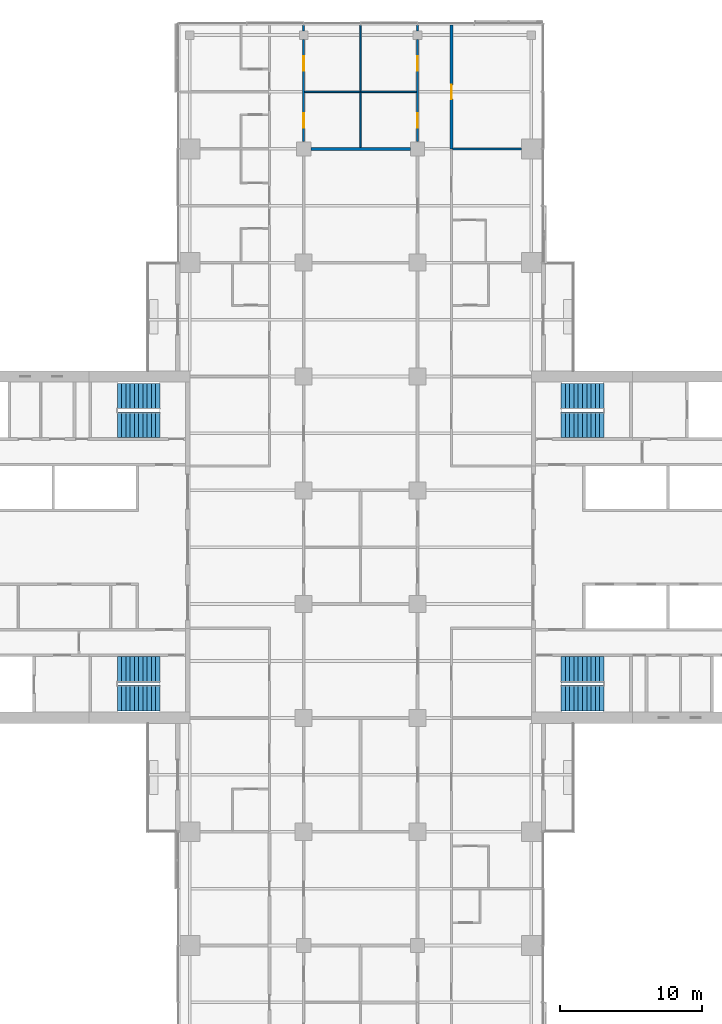
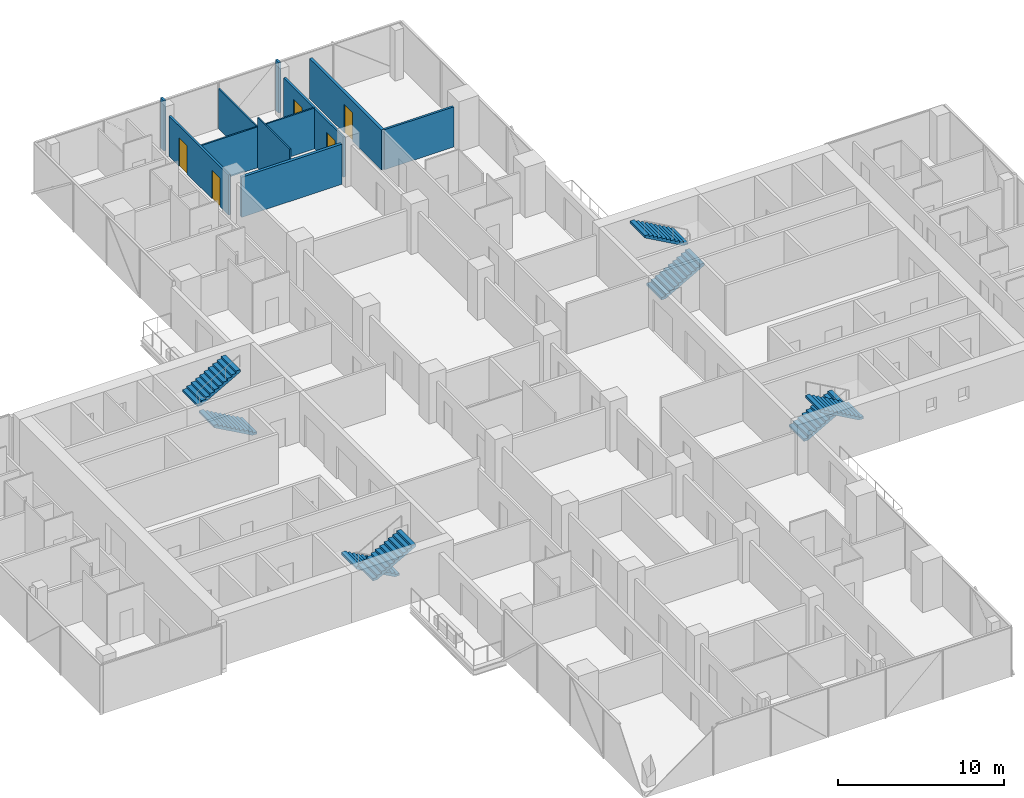
# One storey, part 22 of 27: 10 walls, 8 stair flights, 5 doors, 5 openings, 4 elements without a shape of their own.
"""IFC4 building model written with IfcOpenShell, lengths in metres."""

import ifcopenshell
import ifcopenshell.guid

model = None  # the IFC model being written
_history = None  # IfcOwnerHistory: only IFC2X3 demands one
_inside = {}  # id of a spatial element -> (the spatial element, [elements in it])
_under = {}  # id of a project, library or spatial element -> (it, [spatial elements below it])
_declared = {}  # id of a project -> (the project, [libraries it declares])
_typed = {}  # id of a type object -> (the type object, [elements of that type])
_made_of = {}  # id of a material, layer set ... -> (it, [elements and type objects made of it])


def new_model(schema):
    """Start an empty IFC model of exactly this schema.

    Asked for "IFC4X3", IfcOpenShell would pick the latest addendum, in which some entities
    have other attributes; the version numbers below select the first issue.
    IFC2X3 requires an IfcOwnerHistory on every rooted entity: one is made here for all.
    """
    global model, _history
    if schema == "IFC4X3":
        model = ifcopenshell.file(schema_version=(4, 3, 0, 0))
    else:
        model = ifcopenshell.file(schema=schema)
    _inside.clear()
    _under.clear()
    _declared.clear()
    _typed.clear()
    _made_of.clear()
    _history = None
    if model.schema == "IFC2X3":
        org = make("IfcOrganization", Name="unknown")
        user = make(
            "IfcPersonAndOrganization",
            ThePerson=make("IfcPerson", FamilyName="unknown"),
            TheOrganization=org,
        )
        app = make(
            "IfcApplication",
            ApplicationDeveloper=org,
            Version="unknown",
            ApplicationFullName="unknown",
            ApplicationIdentifier="unknown",
        )
        _history = make(
            "IfcOwnerHistory",
            OwningUser=user,
            OwningApplication=app,
            ChangeAction="ADDED",
            CreationDate=0,
        )
    return model


def make(cls, **values):
    """One entity of the class cls with the attributes given. An attribute that is None is left unset."""
    return model.create_entity(
        cls, **{name: value for name, value in values.items() if value is not None}
    )


def rooted(cls, **values):
    """An entity with a GlobalId (a new one), such as an element, a storey or a relation."""
    return make(cls, GlobalId=ifcopenshell.guid.new(), OwnerHistory=_history, **values)


def si_unit(unit_type, name, prefix=None):
    """IfcSIUnit, for example si_unit("LENGTHUNIT", "METRE", prefix="MILLI")."""
    return make("IfcSIUnit", UnitType=unit_type, Prefix=prefix, Name=name)


def assignment(units):
    """IfcUnitAssignment: the units of a project."""
    return None if units is None else make("IfcUnitAssignment", Units=units)


def point(xyz):
    """IfcCartesianPoint."""
    return None if xyz is None else make("IfcCartesianPoint", Coordinates=xyz)


def direction(xyz):
    """IfcDirection."""
    return None if xyz is None else make("IfcDirection", DirectionRatios=xyz)


def frame(location, z_axis=None, x_axis=None):
    """IfcAxis2Placement3D, a coordinate frame: its origin and axes. An axis left out is left unset."""
    return make(
        "IfcAxis2Placement3D",
        Location=point(location),
        Axis=direction(z_axis),
        RefDirection=direction(x_axis),
    )


def frame_2d(location, x_axis=None):
    """IfcAxis2Placement2D, a coordinate frame in the plane: its origin and x axis."""
    return make(
        "IfcAxis2Placement2D", Location=point(location), RefDirection=direction(x_axis)
    )


def origin():
    """The frame at (0, 0, 0) with its axes left unset."""
    return frame((0.0, 0.0, 0.0))


def place(relative_to, where):
    """IfcLocalPlacement: puts the frame where relative to a parent placement (None: the world)."""
    return make(
        "IfcLocalPlacement", PlacementRelTo=relative_to, RelativePlacement=where
    )


def context(
    kind, dimensions, precision=None, world=None, true_north=None, identifier=None
):
    """IfcGeometricRepresentationContext, for example the 3D "Model" context."""
    return make(
        "IfcGeometricRepresentationContext",
        ContextIdentifier=identifier,
        ContextType=kind,
        CoordinateSpaceDimension=dimensions,
        Precision=precision,
        WorldCoordinateSystem=world,
        TrueNorth=true_north,
    )


def subcontext(parent, identifier, kind, view, scale=None):
    """IfcGeometricRepresentationSubContext, for example "Body" below "Model"."""
    return make(
        "IfcGeometricRepresentationSubContext",
        ContextIdentifier=identifier,
        ContextType=kind,
        ParentContext=parent,
        TargetScale=scale,
        TargetView=view,
    )


def project(units=None, contexts=None):
    """IfcProject with its units and contexts."""
    return rooted(
        "IfcProject",
        Name="project",
        RepresentationContexts=contexts,
        UnitsInContext=assignment(units),
    )


def spatial(cls, under=None, at=None, **own):
    """A site, building, storey or space (cls), placed at a placement, below another one or the project."""
    s = rooted(cls, ObjectPlacement=at, **own)
    if under is not None:
        _under.setdefault(under.id(), (under, []))[1].append(s)
    return s


def polyline(points):
    """IfcPolyline through the points."""
    return make("IfcPolyline", Points=[point(p) for p in points])


def profile(cls, at=None, kind="AREA", **sizes):
    """A parametric profile (cls). Its sizes go by their IFC names, for example OverallWidth=200.0."""
    return make(cls, ProfileType=kind, Position=at, **sizes)


def rectangle(**sizes):
    """IfcRectangleProfileDef."""
    return profile("IfcRectangleProfileDef", **sizes)


def outline(outer, holes=None, kind="AREA"):
    """IfcArbitraryClosedProfileDef: a profile drawn as a closed curve; with holes, ...WithVoids."""
    if holes is None:
        return make("IfcArbitraryClosedProfileDef", ProfileType=kind, OuterCurve=outer)
    return make(
        "IfcArbitraryProfileDefWithVoids",
        ProfileType=kind,
        OuterCurve=outer,
        InnerCurves=holes,
    )


def extrude(swept, where, along, depth):
    """IfcExtrudedAreaSolid: the profile swept, set in the frame where, extruded along a direction by depth."""
    return make(
        "IfcExtrudedAreaSolid",
        SweptArea=swept,
        Position=where,
        ExtrudedDirection=direction(along),
        Depth=depth,
    )


def shape(context_of_items, identifier, shape_type, items):
    """IfcShapeRepresentation: the items that make up one representation, for example the "Body"."""
    return make(
        "IfcShapeRepresentation",
        ContextOfItems=context_of_items,
        RepresentationIdentifier=identifier,
        RepresentationType=shape_type,
        Items=items,
    )


def material(Name=None, Category=None):
    """IfcMaterial."""
    return make("IfcMaterial", Name=Name, Category=Category)


def layer(
    of_material, thickness, ventilated=None, Name=None, Category=None, Priority=None
):
    """IfcMaterialLayer: one layer of a wall or slab, of a material (None: an air gap)."""
    return make(
        "IfcMaterialLayer",
        Material=of_material,
        LayerThickness=thickness,
        IsVentilated=ventilated,
        Name=Name,
        Category=Category,
        Priority=Priority,
    )


def layer_set(layers, Name=None):
    """IfcMaterialLayerSet."""
    return make("IfcMaterialLayerSet", MaterialLayers=layers, LayerSetName=Name)


def made_of(thing, what):
    """Note that an element or type object is made of a material, layer set ...; save() writes the relation."""
    if what is not None:
        _made_of.setdefault(what.id(), (what, []))[1].append(thing)
    return thing


def type_object(cls, material=None, **own):
    """A type object (cls), such as IfcWallType, which elements share."""
    return made_of(rooted(cls, **own), material)


def element(
    cls,
    number,
    at=None,
    inside=None,
    cuts=None,
    type_object=None,
    material=None,
    context=None,
    identifier="Body",
    shape_type=None,
    held_by="IfcProductDefinitionShape",
    body=None,
    shapes=None,
    **own,
):
    """One element of the class cls, such as IfcWall. Its Tag is "e" and its number.

    at: its placement. inside: the storey or other place that contains it. cuts: it is an
    opening in that element (IfcRelVoidsElement). A single representation is given by context,
    identifier, shape_type and body (its items); several are given by shapes. held_by: the class
    of the entity that holds the representations. save() writes the other relations.
    """
    e = rooted(cls, Tag="e%d" % number, ObjectPlacement=at, **own)
    if body is not None:
        shapes = [shape(context, identifier, shape_type, body)]
    if shapes is not None:
        e.Representation = make(held_by, Representations=shapes)
    if inside is not None:
        _inside.setdefault(inside.id(), (inside, []))[1].append(e)
    if cuts is not None:
        rooted(
            "IfcRelVoidsElement", RelatingBuildingElement=cuts, RelatedOpeningElement=e
        )
    if type_object is not None:
        _typed.setdefault(type_object.id(), (type_object, []))[1].append(e)
    return made_of(e, material)


def fill(opening, filler):
    """IfcRelFillsElement: the door or window that sits in an opening."""
    return rooted(
        "IfcRelFillsElement",
        RelatingOpeningElement=opening,
        RelatedBuildingElement=filler,
    )


def aggregate(whole, parts):
    """IfcRelAggregates: a whole, such as a stair, and the parts it consists of."""
    return rooted("IfcRelAggregates", RelatingObject=whole, RelatedObjects=parts)


def save(model, path):
    """Write the relations noted so far, then the file.

    IfcRelAggregates (storeys below a building ...), IfcRelContainedInSpatialStructure (elements
    in a storey), IfcRelDefinesByType, IfcRelAssociatesMaterial and IfcRelDeclares: one each for
    every whole, place, type object, material and project.
    """
    for whole, parts in _under.values():
        aggregate(whole, parts)
    for where, things in _inside.values():
        rooted(
            "IfcRelContainedInSpatialStructure",
            RelatedElements=things,
            RelatingStructure=where,
        )
    for kind, things in _typed.values():
        rooted("IfcRelDefinesByType", RelatedObjects=things, RelatingType=kind)
    for what, things in _made_of.values():
        rooted("IfcRelAssociatesMaterial", RelatedObjects=things, RelatingMaterial=what)
    for by, libraries in _declared.values():
        rooted("IfcRelDeclares", RelatingContext=by, RelatedDefinitions=libraries)
    model.write(path)


model = new_model("IFC4")

# Units and contexts
model_context = context("Model", 3, precision=1e-05, world=origin(), true_north=direction((0.0, 1.0)))
body_context = subcontext(model_context, "Body", "Model", "MODEL_VIEW")
ifc_project = project(units=[si_unit("LENGTHUNIT", "METRE"), si_unit("AREAUNIT", "SQUARE_METRE"), si_unit("VOLUMEUNIT", "CUBIC_METRE"), si_unit("PLANEANGLEUNIT", "RADIAN"), si_unit("MASSUNIT", "GRAM", prefix="KILO")], contexts=[model_context])

# Site, building, storey
site_placement = place(None, origin())
site = spatial("IfcSite", under=ifc_project, at=site_placement, CompositionType="ELEMENT")
building_placement = place(site_placement, origin())
building = spatial("IfcBuilding", under=site, at=building_placement, Name="Crosswind Convention Tower", CompositionType="ELEMENT")
storey_placement = place(building_placement, frame((0.0, 0.0, 86.800048828125)))
storey = spatial("IfcBuildingStorey", under=building, at=storey_placement, Name="L16", CompositionType="ELEMENT", Elevation=86.800048828125)

# Wall, openings, doors
ifc_material_1 = material(Name="Plasterboard partition", Category="gypsum")
ifc_layer_1 = layer(ifc_material_1, 0.14990234375)
ifc_layer_set_1 = layer_set([ifc_layer_1], Name="CORRIDOR WALL 150")
wall_type_1 = type_object("IfcWallType", Name="CORRIDOR WALL 150", PredefinedType="PARTITIONING", material=ifc_layer_set_1)
wall_1_placement = place(storey_placement, frame((121.0, 128.5, 0.0), z_axis=(0.0, 0.0, 1.0), x_axis=(0.0, 1.0, 0.0)))
wall_1 = element("IfcWall", 1, at=wall_1_placement, inside=storey, type_object=wall_type_1, Name="Corridor Wall 92", PredefinedType="PARTITIONING", context=body_context, shape_type="SweptSolid", body=[
    extrude(rectangle(XDim=7.199951171875, YDim=0.14990234375, at=frame_2d((3.60009765625, 0.0))), origin(), (0.0, 0.0, 1.0), 2.959716796875),
])
opening_1_placement = place(wall_1_placement, frame((1.0, 0.0, 0.0)))
opening_1 = element("IfcOpeningElement", 2, at=opening_1_placement, cuts=wall_1, Name="Opening 16.064", PredefinedType="OPENING", context=body_context, shape_type="SweptSolid", body=[
    extrude(rectangle(XDim=1.0, YDim=2.10009765625, at=frame_2d((0.5, 1.050048828125))), frame((0.0, 0.0849609375, 0.0), z_axis=(0.0, -1.0, 0.0), x_axis=(1.0, 0.0, 0.0)), (0.0, 0.0, 1.0), 0.169921875),
])
opening_2_placement = place(wall_1_placement, frame((5.0, 0.0, 0.0)))
opening_2 = element("IfcOpeningElement", 3, at=opening_2_placement, cuts=wall_1, Name="Opening 16.065", PredefinedType="OPENING", context=body_context, shape_type="SweptSolid", body=[
    extrude(rectangle(XDim=1.0, YDim=2.10009765625, at=frame_2d((0.5, 1.050048828125))), frame((0.0, 0.0849609375, 0.0), z_axis=(0.0, -1.0, 0.0), x_axis=(1.0, 0.0, 0.0)), (0.0, 0.0, 1.0), 0.169921875),
])
ifc_material_2 = material(Name="Timber fire door", Category="wood")
door_type_1 = type_object("IfcDoorType", Name="SERVICE ROOM DOOR 1000X2100", OperationType="NOTDEFINED", PredefinedType="DOOR", material=ifc_material_2)
door_1_placement = place(opening_1_placement, frame((1.0, 0.0, 0.0), z_axis=(0.0, 0.0, 1.0), x_axis=(-1.0, 0.0, 0.0)))
door_1 = element("IfcDoor", 4, at=door_1_placement, inside=storey, type_object=door_type_1, Name="Door 16.064", ObjectType="D3", OperationType="SINGLE_SWING_RIGHT", OverallHeight=2.10009765625, OverallWidth=1.0, PredefinedType="DOOR", context=body_context, shape_type="SweptSolid", body=[
    extrude(rectangle(XDim=1.0, YDim=2.10009765625, at=frame_2d((0.5, 1.050048828125))), frame((0.0, 0.02490234375, 0.0), z_axis=(0.0, -1.0, 0.0), x_axis=(1.0, 0.0, 0.0)), (0.0, 0.0, 1.0), 0.050048828125),
])
fill(opening_1, door_1)
door_2_placement = place(opening_2_placement, frame((1.0, 0.0, 0.0), z_axis=(0.0, 0.0, 1.0), x_axis=(-1.0, 0.0, 0.0)))
door_2 = element("IfcDoor", 5, at=door_2_placement, inside=storey, type_object=door_type_1, Name="Door 16.065", ObjectType="D3", OperationType="SINGLE_SWING_LEFT", OverallHeight=2.10009765625, OverallWidth=1.0, PredefinedType="DOOR", context=body_context, shape_type="SweptSolid", body=[
    extrude(rectangle(XDim=1.0, YDim=2.10009765625, at=frame_2d((0.5, 1.050048828125))), frame((0.0, 0.02490234375, 0.0), z_axis=(0.0, -1.0, 0.0), x_axis=(1.0, 0.0, 0.0)), (0.0, 0.0, 1.0), 0.050048828125),
])
fill(opening_2, door_2)

# Wall
wall_2_placement = place(storey_placement, frame((121.0, 136.300048828125, 0.0), z_axis=(0.0, 0.0, 1.0), x_axis=(0.0, 1.0, 0.0)))
element("IfcWall", 6, at=wall_2_placement, inside=storey, type_object=wall_type_1, Name="Corridor Wall 93", PredefinedType="PARTITIONING", context=body_context, shape_type="SweptSolid", body=[
    extrude(rectangle(XDim=0.39990234375, YDim=0.14990234375, at=frame_2d((0.199951171875, 0.0))), origin(), (0.0, 0.0, 1.0), 3.699951171875),
])

# Wall, openings, doors
wall_3_placement = place(storey_placement, frame((129.0, 128.5, 0.0), z_axis=(0.0, 0.0, 1.0), x_axis=(0.0, 1.0, 0.0)))
wall_3 = element("IfcWall", 7, at=wall_3_placement, inside=storey, type_object=wall_type_1, Name="Corridor Wall 112", PredefinedType="PARTITIONING", context=body_context, shape_type="SweptSolid", body=[
    extrude(rectangle(XDim=7.199951171875, YDim=0.14990234375, at=frame_2d((3.60009765625, 0.0))), origin(), (0.0, 0.0, 1.0), 2.959716796875),
])
opening_3_placement = place(wall_3_placement, frame((1.0, 0.0, 0.0)))
opening_3 = element("IfcOpeningElement", 8, at=opening_3_placement, cuts=wall_3, Name="Opening 16.066", PredefinedType="OPENING", context=body_context, shape_type="SweptSolid", body=[
    extrude(rectangle(XDim=1.0, YDim=2.10009765625, at=frame_2d((0.5, 1.050048828125))), frame((0.0, 0.0849609375, 0.0), z_axis=(0.0, -1.0, 0.0), x_axis=(1.0, 0.0, 0.0)), (0.0, 0.0, 1.0), 0.169921875),
])
opening_4_placement = place(wall_3_placement, frame((5.0, 0.0, 0.0)))
opening_4 = element("IfcOpeningElement", 9, at=opening_4_placement, cuts=wall_3, Name="Opening 16.067", PredefinedType="OPENING", context=body_context, shape_type="SweptSolid", body=[
    extrude(rectangle(XDim=1.0, YDim=2.10009765625, at=frame_2d((0.5, 1.050048828125))), frame((0.0, 0.0849609375, 0.0), z_axis=(0.0, -1.0, 0.0), x_axis=(1.0, 0.0, 0.0)), (0.0, 0.0, 1.0), 0.169921875),
])
door_3_placement = place(opening_3_placement, origin())
door_3 = element("IfcDoor", 10, at=door_3_placement, inside=storey, type_object=door_type_1, Name="Door 16.066", ObjectType="D3", OperationType="SINGLE_SWING_LEFT", OverallHeight=2.10009765625, OverallWidth=1.0, PredefinedType="DOOR", context=body_context, shape_type="SweptSolid", body=[
    extrude(rectangle(XDim=1.0, YDim=2.10009765625, at=frame_2d((0.5, 1.050048828125))), frame((0.0, 0.02490234375, 0.0), z_axis=(0.0, -1.0, 0.0), x_axis=(1.0, 0.0, 0.0)), (0.0, 0.0, 1.0), 0.050048828125),
])
fill(opening_3, door_3)
door_4_placement = place(opening_4_placement, origin())
door_4 = element("IfcDoor", 11, at=door_4_placement, inside=storey, type_object=door_type_1, Name="Door 16.067", ObjectType="D3", OperationType="SINGLE_SWING_RIGHT", OverallHeight=2.10009765625, OverallWidth=1.0, PredefinedType="DOOR", context=body_context, shape_type="SweptSolid", body=[
    extrude(rectangle(XDim=1.0, YDim=2.10009765625, at=frame_2d((0.5, 1.050048828125))), frame((0.0, 0.02490234375, 0.0), z_axis=(0.0, -1.0, 0.0), x_axis=(1.0, 0.0, 0.0)), (0.0, 0.0, 1.0), 0.050048828125),
])
fill(opening_4, door_4)

# Walls
wall_4_placement = place(storey_placement, frame((129.0, 136.300048828125, 0.0), z_axis=(0.0, 0.0, 1.0), x_axis=(0.0, 1.0, 0.0)))
element("IfcWall", 12, at=wall_4_placement, inside=storey, type_object=wall_type_1, Name="Corridor Wall 113", PredefinedType="PARTITIONING", context=body_context, shape_type="SweptSolid", body=[
    extrude(rectangle(XDim=0.39990234375, YDim=0.14990234375, at=frame_2d((0.199951171875, 0.0))), origin(), (0.0, 0.0, 1.0), 3.699951171875),
])
ifc_material_3 = material(Name="Acoustic plasterboard partition", Category="gypsum")
ifc_layer_2 = layer(ifc_material_3, 0.14990234375)
ifc_layer_set_2 = layer_set([ifc_layer_2], Name="GUEST ROOM WALL 150")
wall_type_2 = type_object("IfcWallType", Name="GUEST ROOM WALL 150", PredefinedType="PARTITIONING", material=ifc_layer_set_2)
wall_5_placement = place(storey_placement, frame((131.47509765625, 128.0, 0.0), z_axis=(0.0, 0.0, 1.0), x_axis=(1.0, 0.0, 0.0)))
element("IfcWall", 13, at=wall_5_placement, inside=storey, type_object=wall_type_2, Name="Guest Room Wall 61", PredefinedType="PARTITIONING", context=body_context, shape_type="SweptSolid", body=[
    extrude(rectangle(XDim=4.824951171875, YDim=0.14990234375, at=frame_2d((2.41259765625, 0.0))), origin(), (0.0, 0.0, 1.0), 2.959716796875),
])
ifc_material_4 = material(Name="Double plasterboard partition", Category="gypsum")
ifc_layer_3 = layer(ifc_material_4, 0.199951171875)
ifc_layer_set_3 = layer_set([ifc_layer_3], Name="HALL WALL 200")
wall_type_3 = type_object("IfcWallType", Name="HALL WALL 200", PredefinedType="PARTITIONING", material=ifc_layer_set_3)
wall_6_placement = place(storey_placement, frame((121.5, 128.0, 0.0), z_axis=(0.0, 0.0, 1.0), x_axis=(1.0, 0.0, 0.0)))
element("IfcWall", 14, at=wall_6_placement, inside=storey, type_object=wall_type_3, Name="Hall Wall 60", PredefinedType="PARTITIONING", context=body_context, shape_type="SweptSolid", body=[
    extrude(rectangle(XDim=7.0, YDim=0.199951171875, at=frame_2d((3.5, 0.0))), origin(), (0.0, 0.0, 1.0), 2.959716796875),
])

# Wall, opening, door
wall_7_placement = place(storey_placement, frame((131.39990234375, 128.0, 0.0), z_axis=(0.0, 0.0, 1.0), x_axis=(0.0, 1.0, 0.0)))
wall_7 = element("IfcWall", 15, at=wall_7_placement, inside=storey, type_object=wall_type_3, Name="Hall Wall 118", PredefinedType="PARTITIONING", context=body_context, shape_type="SweptSolid", body=[
    extrude(rectangle(XDim=8.699951171875, YDim=0.199951171875, at=frame_2d((4.35009765625, 0.0))), origin(), (0.0, 0.0, 1.0), 2.959716796875),
])
opening_5_placement = place(wall_7_placement, frame((3.5, 0.0, 0.0)))
opening_5 = element("IfcOpeningElement", 16, at=opening_5_placement, cuts=wall_7, Name="Opening 16.009", PredefinedType="OPENING", context=body_context, shape_type="SweptSolid", body=[
    extrude(rectangle(XDim=1.0, YDim=2.10009765625, at=frame_2d((0.5, 1.050048828125))), frame((0.0, 0.10986328125, 0.0), z_axis=(0.0, -1.0, 0.0), x_axis=(1.0, 0.0, 0.0)), (0.0, 0.0, 1.0), 0.219970703125),
])
door_type_2 = type_object("IfcDoorType", Name="MEETING ROOM DOOR 1000X2100", OperationType="NOTDEFINED", PredefinedType="DOOR", material=ifc_material_2)
door_5_placement = place(opening_5_placement, origin())
door_5 = element("IfcDoor", 17, at=door_5_placement, inside=storey, type_object=door_type_2, Name="Door 16.009", ObjectType="D13", OperationType="SINGLE_SWING_RIGHT", OverallHeight=2.10009765625, OverallWidth=1.0, PredefinedType="DOOR", context=body_context, shape_type="SweptSolid", body=[
    extrude(rectangle(XDim=1.0, YDim=2.10009765625, at=frame_2d((0.5, 1.050048828125))), frame((0.0, 0.02490234375, 0.0), z_axis=(0.0, -1.0, 0.0), x_axis=(1.0, 0.0, 0.0)), (0.0, 0.0, 1.0), 0.050048828125),
])
fill(opening_5, door_5)

# Walls
ifc_layer_4 = layer(ifc_material_1, 0.10009765625)
ifc_layer_set_4 = layer_set([ifc_layer_4], Name="PARTITION 100")
wall_type_4 = type_object("IfcWallType", Name="PARTITION 100", PredefinedType="PARTITIONING", material=ifc_layer_set_4)
wall_8_placement = place(storey_placement, frame((121.074951171875, 132.0, 0.0), z_axis=(0.0, 0.0, 1.0), x_axis=(1.0, 0.0, 0.0)))
element("IfcWall", 18, at=wall_8_placement, inside=storey, type_object=wall_type_4, Name="Partition 64", PredefinedType="PARTITIONING", context=body_context, shape_type="SweptSolid", body=[
    extrude(rectangle(XDim=7.85009765625, YDim=0.10009765625, at=frame_2d((3.925048828125, 0.0))), origin(), (0.0, 0.0, 1.0), 3.013671875),
])
wall_9_placement = place(storey_placement, frame((125.0, 128.10009765625, 0.0), z_axis=(0.0, 0.0, 1.0), x_axis=(0.0, 1.0, 0.0)))
element("IfcWall", 19, at=wall_9_placement, inside=storey, type_object=wall_type_4, Name="Partition 99", PredefinedType="PARTITIONING", context=body_context, shape_type="SweptSolid", body=[
    extrude(rectangle(XDim=3.849853515625, YDim=0.10009765625, at=frame_2d((1.9248046875, 0.0))), origin(), (0.0, 0.0, 1.0), 3.699951171875),
])
wall_10_placement = place(storey_placement, frame((125.0, 132.050048828125, 0.0), z_axis=(0.0, 0.0, 1.0), x_axis=(0.0, 1.0, 0.0)))
element("IfcWall", 20, at=wall_10_placement, inside=storey, type_object=wall_type_4, Name="Partition 100", PredefinedType="PARTITIONING", context=body_context, shape_type="SweptSolid", body=[
    extrude(rectangle(XDim=4.64990234375, YDim=0.10009765625, at=frame_2d((2.324951171875, 0.0))), origin(), (0.0, 0.0, 1.0), 2.962646484375),
])

# Stair, stair flights
ifc_material_5 = material(Name="Concrete C40/50", Category="concrete")
stair_type = type_object("IfcStairType", Name="Exit stair 1800 wide, 2 flights of 11 risers", PredefinedType="HALF_TURN_STAIR", material=ifc_material_5)
stair_1_placement = place(storey_placement, origin())
stair_1 = element("IfcStair", 21, at=stair_1_placement, inside=storey, type_object=stair_type, Name="Exit stair ST1 L16", ObjectType="ST5", PredefinedType="HALF_TURN_STAIR")
stair_flight_type = type_object("IfcStairFlightType", Name="Stair flight 1800 wide, 11 risers (SF3)", PredefinedType="STRAIGHT", material=ifc_material_5)
stair_flight_1_placement = place(storey_placement, frame((139.10009765625, 108.60009765625, 0.0), z_axis=(0.0, 0.0, 1.0), x_axis=(1.0, 0.0, 0.0)))
stair_flight_1 = element("IfcStairFlight", 22, at=stair_flight_1_placement, type_object=stair_flight_type, Name="ST1 flight 1", NumberOfRisers=11, NumberOfTreads=10, PredefinedType="STRAIGHT", RiserHeight=0.168181818, TreadLength=0.3, context=body_context, shape_type="SweptSolid", body=[
    extrude(outline(polyline([(0.0, 0.0), (0.0, 0.168212890625), (0.300048828125, 0.168212890625), (0.300048828125, 0.33642578125), (0.60009765625, 0.33642578125), (0.60009765625, 0.504638671875), (0.89990234375, 0.504638671875), (0.89990234375, 0.672607421875), (1.199951171875, 0.672607421875), (1.199951171875, 0.8408203125), (1.5, 0.8408203125), (1.5, 1.009033203125), (1.800048828125, 1.009033203125), (1.800048828125, 1.17724609375), (2.10009765625, 1.17724609375), (2.10009765625, 1.345458984375), (2.39990234375, 1.345458984375), (2.39990234375, 1.513671875), (2.699951171875, 1.513671875), (2.699951171875, 1.681884765625), (3.0, 1.681884765625), (3.0, 1.85009765625), (3.0, 1.510009765625), (0.306640625, 0.0), (0.0, 0.0)])), frame((0.0, 0.89990234375, 0.0), z_axis=(0.0, -1.0, 0.0), x_axis=(1.0, 0.0, 0.0)), (0.0, 0.0, 1.0), 1.800048828125),
])
stair_flight_2_placement = place(storey_placement, frame((142.10009765625, 110.60009765625, 1.849853515625), z_axis=(0.0, 0.0, 1.0), x_axis=(-1.0, 0.0, 0.0)))
stair_flight_2 = element("IfcStairFlight", 23, at=stair_flight_2_placement, type_object=stair_flight_type, Name="ST1 flight 2", NumberOfRisers=11, NumberOfTreads=10, PredefinedType="STRAIGHT", RiserHeight=0.168181818, TreadLength=0.3, context=body_context, shape_type="SweptSolid", body=[
    extrude(outline(polyline([(0.0, 0.0), (0.0, 0.168212890625), (0.300048828125, 0.168212890625), (0.300048828125, 0.33642578125), (0.60009765625, 0.33642578125), (0.60009765625, 0.504638671875), (0.89990234375, 0.504638671875), (0.89990234375, 0.672607421875), (1.199951171875, 0.672607421875), (1.199951171875, 0.8408203125), (1.5, 0.8408203125), (1.5, 1.009033203125), (1.800048828125, 1.009033203125), (1.800048828125, 1.17724609375), (2.10009765625, 1.17724609375), (2.10009765625, 1.345458984375), (2.39990234375, 1.345458984375), (2.39990234375, 1.513671875), (2.699951171875, 1.513671875), (2.699951171875, 1.681884765625), (3.0, 1.681884765625), (3.0, 1.85009765625), (3.0, 1.510009765625), (0.306640625, 0.0), (0.0, 0.0)])), frame((0.0, 0.89990234375, 0.0), z_axis=(0.0, -1.0, 0.0), x_axis=(1.0, 0.0, 0.0)), (0.0, 0.0, 1.0), 1.800048828125),
])
aggregate(stair_1, [stair_flight_1, stair_flight_2])

stair_2_placement = place(storey_placement, origin())
stair_2 = element("IfcStair", 24, at=stair_2_placement, inside=storey, type_object=stair_type, Name="Exit stair ST2 L16", ObjectType="ST5", PredefinedType="HALF_TURN_STAIR")
stair_flight_3_placement = place(storey_placement, frame((139.10009765625, 91.39990234375, 0.0), z_axis=(0.0, 0.0, 1.0), x_axis=(1.0, 0.0, 0.0)))
stair_flight_3 = element("IfcStairFlight", 25, at=stair_flight_3_placement, type_object=stair_flight_type, Name="ST2 flight 1", NumberOfRisers=11, NumberOfTreads=10, PredefinedType="STRAIGHT", RiserHeight=0.168181818, TreadLength=0.3, context=body_context, shape_type="SweptSolid", body=[
    extrude(outline(polyline([(0.0, 0.0), (0.0, 0.168212890625), (0.300048828125, 0.168212890625), (0.300048828125, 0.33642578125), (0.60009765625, 0.33642578125), (0.60009765625, 0.504638671875), (0.89990234375, 0.504638671875), (0.89990234375, 0.672607421875), (1.199951171875, 0.672607421875), (1.199951171875, 0.8408203125), (1.5, 0.8408203125), (1.5, 1.009033203125), (1.800048828125, 1.009033203125), (1.800048828125, 1.17724609375), (2.10009765625, 1.17724609375), (2.10009765625, 1.345458984375), (2.39990234375, 1.345458984375), (2.39990234375, 1.513671875), (2.699951171875, 1.513671875), (2.699951171875, 1.681884765625), (3.0, 1.681884765625), (3.0, 1.85009765625), (3.0, 1.510009765625), (0.306640625, 0.0), (0.0, 0.0)])), frame((0.0, 0.89990234375, 0.0), z_axis=(0.0, -1.0, 0.0), x_axis=(1.0, 0.0, 0.0)), (0.0, 0.0, 1.0), 1.800048828125),
])
stair_flight_4_placement = place(storey_placement, frame((142.10009765625, 89.39990234375, 1.849853515625), z_axis=(0.0, 0.0, 1.0), x_axis=(-1.0, 0.0, 0.0)))
stair_flight_4 = element("IfcStairFlight", 26, at=stair_flight_4_placement, type_object=stair_flight_type, Name="ST2 flight 2", NumberOfRisers=11, NumberOfTreads=10, PredefinedType="STRAIGHT", RiserHeight=0.168181818, TreadLength=0.3, context=body_context, shape_type="SweptSolid", body=[
    extrude(outline(polyline([(0.0, 0.0), (0.0, 0.168212890625), (0.300048828125, 0.168212890625), (0.300048828125, 0.33642578125), (0.60009765625, 0.33642578125), (0.60009765625, 0.504638671875), (0.89990234375, 0.504638671875), (0.89990234375, 0.672607421875), (1.199951171875, 0.672607421875), (1.199951171875, 0.8408203125), (1.5, 0.8408203125), (1.5, 1.009033203125), (1.800048828125, 1.009033203125), (1.800048828125, 1.17724609375), (2.10009765625, 1.17724609375), (2.10009765625, 1.345458984375), (2.39990234375, 1.345458984375), (2.39990234375, 1.513671875), (2.699951171875, 1.513671875), (2.699951171875, 1.681884765625), (3.0, 1.681884765625), (3.0, 1.85009765625), (3.0, 1.510009765625), (0.306640625, 0.0), (0.0, 0.0)])), frame((0.0, 0.89990234375, 0.0), z_axis=(0.0, -1.0, 0.0), x_axis=(1.0, 0.0, 0.0)), (0.0, 0.0, 1.0), 1.800048828125),
])
aggregate(stair_2, [stair_flight_3, stair_flight_4])

stair_3_placement = place(storey_placement, origin())
stair_3 = element("IfcStair", 27, at=stair_3_placement, inside=storey, type_object=stair_type, Name="Exit stair ST3 L16", ObjectType="ST5", PredefinedType="HALF_TURN_STAIR")
stair_flight_5_placement = place(storey_placement, frame((110.89990234375, 91.39990234375, 0.0), z_axis=(0.0, 0.0, 1.0), x_axis=(-1.0, 0.0, 0.0)))
stair_flight_5 = element("IfcStairFlight", 28, at=stair_flight_5_placement, type_object=stair_flight_type, Name="ST3 flight 1", NumberOfRisers=11, NumberOfTreads=10, PredefinedType="STRAIGHT", RiserHeight=0.168181818, TreadLength=0.3, context=body_context, shape_type="SweptSolid", body=[
    extrude(outline(polyline([(0.0, 0.0), (0.0, 0.168212890625), (0.300048828125, 0.168212890625), (0.300048828125, 0.33642578125), (0.60009765625, 0.33642578125), (0.60009765625, 0.504638671875), (0.89990234375, 0.504638671875), (0.89990234375, 0.672607421875), (1.199951171875, 0.672607421875), (1.199951171875, 0.8408203125), (1.5, 0.8408203125), (1.5, 1.009033203125), (1.800048828125, 1.009033203125), (1.800048828125, 1.17724609375), (2.10009765625, 1.17724609375), (2.10009765625, 1.345458984375), (2.39990234375, 1.345458984375), (2.39990234375, 1.513671875), (2.699951171875, 1.513671875), (2.699951171875, 1.681884765625), (3.0, 1.681884765625), (3.0, 1.85009765625), (3.0, 1.510009765625), (0.306640625, 0.0), (0.0, 0.0)])), frame((0.0, 0.89990234375, 0.0), z_axis=(0.0, -1.0, 0.0), x_axis=(1.0, 0.0, 0.0)), (0.0, 0.0, 1.0), 1.800048828125),
])
stair_flight_6_placement = place(storey_placement, frame((107.89990234375, 89.39990234375, 1.849853515625), z_axis=(0.0, 0.0, 1.0), x_axis=(1.0, 0.0, 0.0)))
stair_flight_6 = element("IfcStairFlight", 29, at=stair_flight_6_placement, type_object=stair_flight_type, Name="ST3 flight 2", NumberOfRisers=11, NumberOfTreads=10, PredefinedType="STRAIGHT", RiserHeight=0.168181818, TreadLength=0.3, context=body_context, shape_type="SweptSolid", body=[
    extrude(outline(polyline([(0.0, 0.0), (0.0, 0.168212890625), (0.300048828125, 0.168212890625), (0.300048828125, 0.33642578125), (0.60009765625, 0.33642578125), (0.60009765625, 0.504638671875), (0.89990234375, 0.504638671875), (0.89990234375, 0.672607421875), (1.199951171875, 0.672607421875), (1.199951171875, 0.8408203125), (1.5, 0.8408203125), (1.5, 1.009033203125), (1.800048828125, 1.009033203125), (1.800048828125, 1.17724609375), (2.10009765625, 1.17724609375), (2.10009765625, 1.345458984375), (2.39990234375, 1.345458984375), (2.39990234375, 1.513671875), (2.699951171875, 1.513671875), (2.699951171875, 1.681884765625), (3.0, 1.681884765625), (3.0, 1.85009765625), (3.0, 1.510009765625), (0.306640625, 0.0), (0.0, 0.0)])), frame((0.0, 0.89990234375, 0.0), z_axis=(0.0, -1.0, 0.0), x_axis=(1.0, 0.0, 0.0)), (0.0, 0.0, 1.0), 1.800048828125),
])
aggregate(stair_3, [stair_flight_5, stair_flight_6])

stair_4_placement = place(storey_placement, origin())
stair_4 = element("IfcStair", 30, at=stair_4_placement, inside=storey, type_object=stair_type, Name="Exit stair ST4 L16", ObjectType="ST5", PredefinedType="HALF_TURN_STAIR")
stair_flight_7_placement = place(storey_placement, frame((110.89990234375, 108.60009765625, 0.0), z_axis=(0.0, 0.0, 1.0), x_axis=(-1.0, 0.0, 0.0)))
stair_flight_7 = element("IfcStairFlight", 31, at=stair_flight_7_placement, type_object=stair_flight_type, Name="ST4 flight 1", NumberOfRisers=11, NumberOfTreads=10, PredefinedType="STRAIGHT", RiserHeight=0.168181818, TreadLength=0.3, context=body_context, shape_type="SweptSolid", body=[
    extrude(outline(polyline([(0.0, 0.0), (0.0, 0.168212890625), (0.300048828125, 0.168212890625), (0.300048828125, 0.33642578125), (0.60009765625, 0.33642578125), (0.60009765625, 0.504638671875), (0.89990234375, 0.504638671875), (0.89990234375, 0.672607421875), (1.199951171875, 0.672607421875), (1.199951171875, 0.8408203125), (1.5, 0.8408203125), (1.5, 1.009033203125), (1.800048828125, 1.009033203125), (1.800048828125, 1.17724609375), (2.10009765625, 1.17724609375), (2.10009765625, 1.345458984375), (2.39990234375, 1.345458984375), (2.39990234375, 1.513671875), (2.699951171875, 1.513671875), (2.699951171875, 1.681884765625), (3.0, 1.681884765625), (3.0, 1.85009765625), (3.0, 1.510009765625), (0.306640625, 0.0), (0.0, 0.0)])), frame((0.0, 0.89990234375, 0.0), z_axis=(0.0, -1.0, 0.0), x_axis=(1.0, 0.0, 0.0)), (0.0, 0.0, 1.0), 1.800048828125),
])
stair_flight_8_placement = place(storey_placement, frame((107.89990234375, 110.60009765625, 1.849853515625), z_axis=(0.0, 0.0, 1.0), x_axis=(1.0, 0.0, 0.0)))
stair_flight_8 = element("IfcStairFlight", 32, at=stair_flight_8_placement, type_object=stair_flight_type, Name="ST4 flight 2", NumberOfRisers=11, NumberOfTreads=10, PredefinedType="STRAIGHT", RiserHeight=0.168181818, TreadLength=0.3, context=body_context, shape_type="SweptSolid", body=[
    extrude(outline(polyline([(0.0, 0.0), (0.0, 0.168212890625), (0.300048828125, 0.168212890625), (0.300048828125, 0.33642578125), (0.60009765625, 0.33642578125), (0.60009765625, 0.504638671875), (0.89990234375, 0.504638671875), (0.89990234375, 0.672607421875), (1.199951171875, 0.672607421875), (1.199951171875, 0.8408203125), (1.5, 0.8408203125), (1.5, 1.009033203125), (1.800048828125, 1.009033203125), (1.800048828125, 1.17724609375), (2.10009765625, 1.17724609375), (2.10009765625, 1.345458984375), (2.39990234375, 1.345458984375), (2.39990234375, 1.513671875), (2.699951171875, 1.513671875), (2.699951171875, 1.681884765625), (3.0, 1.681884765625), (3.0, 1.85009765625), (3.0, 1.510009765625), (0.306640625, 0.0), (0.0, 0.0)])), frame((0.0, 0.89990234375, 0.0), z_axis=(0.0, -1.0, 0.0), x_axis=(1.0, 0.0, 0.0)), (0.0, 0.0, 1.0), 1.800048828125),
])
aggregate(stair_4, [stair_flight_7, stair_flight_8])

save(model, "model.ifc")
